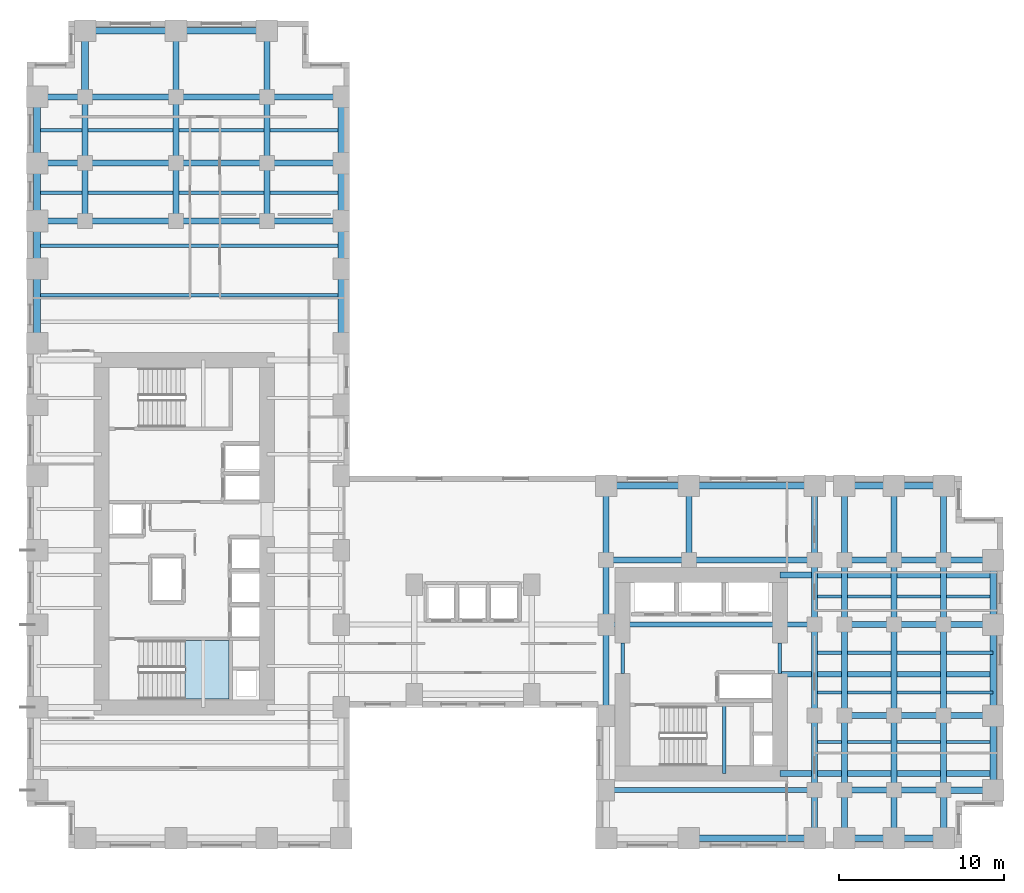
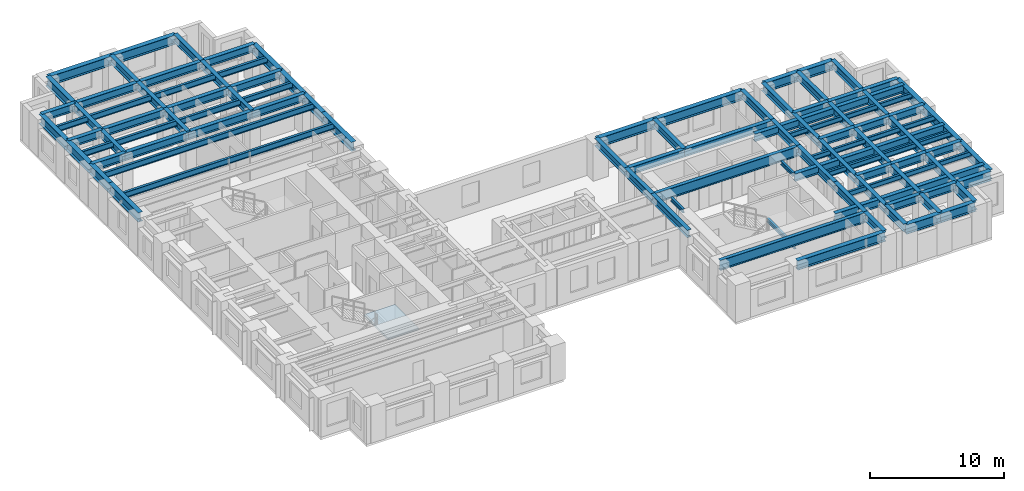
# One storey, part 2 of 11: 95 beams, 1 slab, 1 element without a shape of its own.
"""IFC4 building model written with IfcOpenShell, lengths in metres."""

from ifc_helpers import new_model, si_unit, direction, frame, origin, origin_2d, place, context, subcontext, project, spatial, polyline, i_section, outline, extrude, source, transform, mapped, material, layer, layer_set, material_profile, profile_set, type_object, element, aggregate, save


model = new_model("IFC4")

# Units and contexts
model_context = context("Model", 3, precision=1e-05, world=origin(), true_north=direction((0.0, 1.0)))
body_context = subcontext(model_context, "Body", "Model", "MODEL_VIEW")
ifc_project = project(units=[si_unit("LENGTHUNIT", "METRE"), si_unit("AREAUNIT", "SQUARE_METRE"), si_unit("VOLUMEUNIT", "CUBIC_METRE"), si_unit("PLANEANGLEUNIT", "RADIAN"), si_unit("MASSUNIT", "GRAM", prefix="KILO")], contexts=[model_context])

# Site, building, storey
site_placement = place(None, origin())
site = spatial("IfcSite", under=ifc_project, at=site_placement, CompositionType="ELEMENT")
building_placement = place(site_placement, origin())
building = spatial("IfcBuilding", under=site, at=building_placement, Name="Kharzan Plaza Tower", CompositionType="ELEMENT")
storey_placement = place(building_placement, frame((0.0, 0.0, 54.89990234375)))
storey = spatial("IfcBuildingStorey", under=building, at=storey_placement, Name="L14", CompositionType="ELEMENT", Elevation=54.89990234375)

# Beams
ifc_material_1 = material(Name="Steel S355", Category="steel")
ifc_material_profile_1 = material_profile(ifc_material_1, i_section(OverallWidth=0.205078125, OverallDepth=0.35400390625, WebThickness=0.009521484375, FlangeThickness=0.016845703125, at=origin_2d()), Name="W360x79")
ifc_profile_set_1 = profile_set([ifc_material_profile_1], Name="Steel S355")
beam_type_1 = type_object("IfcBeamType", Name="BM-LNT360", PredefinedType="LINTEL", material=ifc_profile_set_1)
shared_shape_1 = source(origin(), body_context, "Body", "SweptSolid", [
    extrude(i_section(OverallWidth=0.205078125, OverallDepth=0.35400390625, WebThickness=0.009521484375, FlangeThickness=0.016845703125, at=origin_2d()), origin(), (0.0, 0.0, 1.0), 1.849853515625),
])
for number, where, z_axis, x_axis, name in (
    (1, (45.5, 10.550048828125, 3.203125), (0.0, 1.0, 0.0), (-1.0, 0.0, 0.0), "L14 CORE-B coupling lintel LN1-WE"),
    (2, (36.0, 10.550048828125, 3.203125), (0.0, 1.0, 0.0), (-1.0, 0.0, 0.0), "L14 CORE-B coupling lintel LN1-WW"),
):
    element("IfcBeam", number, at=place(storey_placement, frame(where, z_axis=z_axis, x_axis=x_axis)), inside=storey, type_object=beam_type_1, Name=name, PredefinedType="LINTEL", context=body_context, shape_type="MappedRepresentation", body=[
        mapped(shared_shape_1, transform((0.0, 0.0, 0.0), x_axis=(1.0, 0.0, 0.0), y_axis=(0.0, 1.0, 0.0), z_axis=(0.0, 0.0, 1.0))),
    ])
shared_shape_2 = source(origin(), body_context, "Body", "SweptSolid", [
    extrude(i_section(OverallWidth=0.205078125, OverallDepth=0.35400390625, WebThickness=0.009521484375, FlangeThickness=0.016845703125, at=origin_2d()), origin(), (0.0, 0.0, 1.0), 4.155029296875),
])
beam_1_placement = place(storey_placement, frame((42.14990234375, 4.5, 1.423095703125), z_axis=(0.0, 1.0, 0.0), x_axis=(-1.0, 0.0, 0.0)))
element("IfcBeam", 3, at=beam_1_placement, inside=storey, type_object=beam_type_1, Name="L14 Stair ST-3 Half-Landing Beam", PredefinedType="LINTEL", context=body_context, shape_type="MappedRepresentation", body=[
    mapped(shared_shape_2, transform((0.0, 0.0, 0.0), x_axis=(1.0, 0.0, 0.0), y_axis=(0.0, 1.0, 0.0), z_axis=(0.0, 0.0, 1.0))),
])
ifc_material_profile_2 = material_profile(ifc_material_1, i_section(OverallWidth=0.304931640625, OverallDepth=0.9189453125, WebThickness=0.017333984375, FlangeThickness=0.02783203125, at=origin_2d()), Name="W920x253")
ifc_profile_set_2 = profile_set([ifc_material_profile_2], Name="Steel S355")
beam_type_2 = type_object("IfcBeamType", Name="BM-FG920B", PredefinedType="BEAM", material=ifc_profile_set_2)
shared_shape_3 = source(origin(), body_context, "Body", "SweptSolid", [
    extrude(i_section(OverallWidth=0.304931640625, OverallDepth=0.9189453125, WebThickness=0.017333984375, FlangeThickness=0.02783203125, at=origin_2d()), origin(), (0.0, 0.0, 1.0), 12.60009765625),
])
for number, where, z_axis, x_axis, name in (
    (4, (35.0, 3.5, 2.920654296875), (1.0, 0.0, 0.0), (0.0, 1.0, 0.0), "L14 Primary Floor Girder"),
    (5, (35.0, 13.5, 2.920654296875), (1.0, 0.0, 0.0), (0.0, 1.0, 0.0), "L14 Primary Floor Girder"),
):
    element("IfcBeam", number, at=place(storey_placement, frame(where, z_axis=z_axis, x_axis=x_axis)), inside=storey, type_object=beam_type_2, Name=name, PredefinedType="BEAM", context=body_context, shape_type="MappedRepresentation", body=[
        mapped(shared_shape_3, transform((0.0, 0.0, 0.0), x_axis=(1.0, 0.0, 0.0), y_axis=(0.0, 1.0, 0.0), z_axis=(0.0, 0.0, 1.0))),
    ])
ifc_material_profile_3 = material_profile(ifc_material_1, i_section(OverallWidth=0.35498046875, OverallDepth=0.695068359375, WebThickness=0.015380859375, FlangeThickness=0.02490234375, at=origin_2d()), Name="W690x217")
ifc_profile_set_3 = profile_set([ifc_material_profile_3], Name="Steel S355")
beam_type_3 = type_object("IfcBeamType", Name="BM-FG690A", PredefinedType="BEAM", material=ifc_profile_set_3)
shared_shape_4 = source(origin(), body_context, "Body", "SweptSolid", [
    extrude(i_section(OverallWidth=0.35498046875, OverallDepth=0.695068359375, WebThickness=0.015380859375, FlangeThickness=0.02490234375, at=origin_2d()), origin(), (0.0, 0.0, 1.0), 4.5),
])
for number, where, z_axis, x_axis, name in (
    (6, (35.0, 17.39990234375, 3.03271484375), (0.0, 1.0, 0.0), (-1.0, 0.0, 0.0), "L14 Interior Frame Girder"),
    (7, (40.0, 17.39990234375, 3.03271484375), (0.0, 1.0, 0.0), (-1.0, 0.0, 0.0), "L14 Interior Frame Girder"),
    (8, (47.60009765625, 3.5, 3.03271484375), (0.0, 1.0, 0.0), (-1.0, 0.0, 0.0), "L14 Interior Frame Girder"),
    (9, (47.60009765625, 17.39990234375, 3.03271484375), (0.0, 1.0, 0.0), (-1.0, 0.0, 0.0), "L14 Interior Frame Girder"),
    (10, (49.39990234375, 3.5, 3.03271484375), (0.0, 1.0, 0.0), (-1.0, 0.0, 0.0), "L14 Interior Frame Girder"),
    (11, (49.39990234375, 17.39990234375, 3.03271484375), (0.0, 1.0, 0.0), (-1.0, 0.0, 0.0), "L14 Interior Frame Girder"),
    (12, (52.39990234375, 3.5, 3.03271484375), (0.0, 1.0, 0.0), (-1.0, 0.0, 0.0), "L14 Interior Frame Girder"),
    (13, (52.39990234375, 17.39990234375, 3.03271484375), (0.0, 1.0, 0.0), (-1.0, 0.0, 0.0), "L14 Interior Frame Girder"),
    (14, (55.39990234375, 3.5, 3.03271484375), (0.0, 1.0, 0.0), (-1.0, 0.0, 0.0), "L14 Interior Frame Girder"),
    (15, (55.39990234375, 17.39990234375, 3.03271484375), (0.0, 1.0, 0.0), (-1.0, 0.0, 0.0), "L14 Interior Frame Girder"),
    (16, (14.5, 41.39990234375, 3.03271484375), (1.0, 0.0, 0.0), (0.0, 1.0, 0.0), "L14 Primary Floor Girder"),
    (17, (14.5, 45.39990234375, 3.03271484375), (1.0, 0.0, 0.0), (0.0, 1.0, 0.0), "L14 Primary Floor Girder"),
    (18, (14.5, 37.89990234375, 3.03271484375), (1.0, 0.0, 0.0), (0.0, 1.0, 0.0), "L14 Primary Floor Girder"),
):
    element("IfcBeam", number, at=place(storey_placement, frame(where, z_axis=z_axis, x_axis=x_axis)), inside=storey, type_object=beam_type_3, Name=name, PredefinedType="BEAM", context=body_context, shape_type="MappedRepresentation", body=[
        mapped(shared_shape_4, transform((0.0, 0.0, 0.0), x_axis=(1.0, 0.0, 0.0), y_axis=(0.0, 1.0, 0.0), z_axis=(0.0, 0.0, 1.0))),
    ])
shared_shape_5 = source(origin(), body_context, "Body", "SweptSolid", [
    extrude(i_section(OverallWidth=0.35498046875, OverallDepth=0.695068359375, WebThickness=0.015380859375, FlangeThickness=0.02490234375, at=origin_2d()), origin(), (0.0, 0.0, 1.0), 3.89990234375),
])
for number, where, z_axis, x_axis, name in (
    (19, (35.0, 13.5, 3.03271484375), (0.0, 1.0, 0.0), (-1.0, 0.0, 0.0), "L14 Interior Frame Girder"),
    (20, (47.60009765625, 13.5, 3.03271484375), (0.0, 1.0, 0.0), (-1.0, 0.0, 0.0), "L14 Interior Frame Girder"),
    (21, (49.39990234375, 13.5, 3.03271484375), (0.0, 1.0, 0.0), (-1.0, 0.0, 0.0), "L14 Interior Frame Girder"),
    (22, (52.39990234375, 13.5, 3.03271484375), (0.0, 1.0, 0.0), (-1.0, 0.0, 0.0), "L14 Interior Frame Girder"),
    (23, (55.39990234375, 13.5, 3.03271484375), (0.0, 1.0, 0.0), (-1.0, 0.0, 0.0), "L14 Interior Frame Girder"),
):
    element("IfcBeam", number, at=place(storey_placement, frame(where, z_axis=z_axis, x_axis=x_axis)), inside=storey, type_object=beam_type_3, Name=name, PredefinedType="BEAM", context=body_context, shape_type="MappedRepresentation", body=[
        mapped(shared_shape_5, transform((0.0, 0.0, 0.0), x_axis=(1.0, 0.0, 0.0), y_axis=(0.0, 1.0, 0.0), z_axis=(0.0, 0.0, 1.0))),
    ])
shared_shape_6 = source(origin(), body_context, "Body", "SweptSolid", [
    extrude(i_section(OverallWidth=0.35498046875, OverallDepth=0.695068359375, WebThickness=0.015380859375, FlangeThickness=0.02490234375, at=origin_2d()), origin(), (0.0, 0.0, 1.0), 12.89990234375),
])
for number, where, z_axis, x_axis, name in (
    (24, (45.5, 4.5, 3.03271484375), (1.0, 0.0, 0.0), (0.0, 1.0, 0.0), "L14 Core-B East Floor Girder 1"),
    (25, (45.5, 10.5, 3.03271484375), (1.0, 0.0, 0.0), (0.0, 1.0, 0.0), "L14 Core-B East Floor Girder 2"),
    (26, (45.5, 16.5, 3.03271484375), (1.0, 0.0, 0.0), (0.0, 1.0, 0.0), "L14 Core-B East Floor Girder 3"),
):
    element("IfcBeam", number, at=place(storey_placement, frame(where, z_axis=z_axis, x_axis=x_axis)), inside=storey, type_object=beam_type_3, Name=name, PredefinedType="BEAM", context=body_context, shape_type="MappedRepresentation", body=[
        mapped(shared_shape_6, transform((0.0, 0.0, 0.0), x_axis=(1.0, 0.0, 0.0), y_axis=(0.0, 1.0, 0.0), z_axis=(0.0, 0.0, 1.0))),
    ])
shared_shape_7 = source(origin(), body_context, "Body", "SweptSolid", [
    extrude(i_section(OverallWidth=0.35498046875, OverallDepth=0.695068359375, WebThickness=0.015380859375, FlangeThickness=0.02490234375, at=origin_2d()), origin(), (0.0, 0.0, 1.0), 3.5),
])
for number, where, z_axis, x_axis, name in (
    (27, (3.5, 37.89990234375, 3.03271484375), (0.0, 1.0, 0.0), (-1.0, 0.0, 0.0), "L14 Interior Frame Girder"),
    (28, (9.0, 37.89990234375, 3.03271484375), (0.0, 1.0, 0.0), (-1.0, 0.0, 0.0), "L14 Interior Frame Girder"),
    (29, (14.5, 37.89990234375, 3.03271484375), (0.0, 1.0, 0.0), (-1.0, 0.0, 0.0), "L14 Interior Frame Girder"),
):
    element("IfcBeam", number, at=place(storey_placement, frame(where, z_axis=z_axis, x_axis=x_axis)), inside=storey, type_object=beam_type_3, Name=name, PredefinedType="BEAM", context=body_context, shape_type="MappedRepresentation", body=[
        mapped(shared_shape_7, transform((0.0, 0.0, 0.0), x_axis=(1.0, 0.0, 0.0), y_axis=(0.0, 1.0, 0.0), z_axis=(0.0, 0.0, 1.0))),
    ])
shared_shape_8 = source(origin(), body_context, "Body", "SweptSolid", [
    extrude(i_section(OverallWidth=0.35498046875, OverallDepth=0.695068359375, WebThickness=0.015380859375, FlangeThickness=0.02490234375, at=origin_2d()), origin(), (0.0, 0.0, 1.0), 4.0),
])
for number, where, z_axis, x_axis, name in (
    (30, (3.5, 41.39990234375, 3.03271484375), (0.0, 1.0, 0.0), (-1.0, 0.0, 0.0), "L14 Interior Frame Girder"),
    (31, (9.0, 41.39990234375, 3.03271484375), (0.0, 1.0, 0.0), (-1.0, 0.0, 0.0), "L14 Interior Frame Girder"),
    (32, (9.0, 45.39990234375, 3.03271484375), (0.0, 1.0, 0.0), (-1.0, 0.0, 0.0), "L14 Interior Frame Girder"),
    (33, (14.5, 41.39990234375, 3.03271484375), (0.0, 1.0, 0.0), (-1.0, 0.0, 0.0), "L14 Interior Frame Girder"),
    (34, (14.5, 45.39990234375, 3.03271484375), (0.0, 1.0, 0.0), (-1.0, 0.0, 0.0), "L14 Interior Frame Girder"),
):
    element("IfcBeam", number, at=place(storey_placement, frame(where, z_axis=z_axis, x_axis=x_axis)), inside=storey, type_object=beam_type_3, Name=name, PredefinedType="BEAM", context=body_context, shape_type="MappedRepresentation", body=[
        mapped(shared_shape_8, transform((0.0, 0.0, 0.0), x_axis=(1.0, 0.0, 0.0), y_axis=(0.0, 1.0, 0.0), z_axis=(0.0, 0.0, 1.0))),
    ])
shared_shape_9 = source(origin(), body_context, "Body", "SweptSolid", [
    extrude(i_section(OverallWidth=0.35498046875, OverallDepth=0.695068359375, WebThickness=0.015380859375, FlangeThickness=0.02490234375, at=origin_2d()), origin(), (0.0, 0.0, 1.0), 5.0),
])
beam_2_placement = place(storey_placement, frame((35.0, 17.39990234375, 3.03271484375), z_axis=(1.0, 0.0, 0.0), x_axis=(0.0, 1.0, 0.0)))
element("IfcBeam", 35, at=beam_2_placement, inside=storey, type_object=beam_type_3, Name="L14 Primary Floor Girder", PredefinedType="BEAM", context=body_context, shape_type="MappedRepresentation", body=[
    mapped(shared_shape_9, transform((0.0, 0.0, 0.0), x_axis=(1.0, 0.0, 0.0), y_axis=(0.0, 1.0, 0.0), z_axis=(0.0, 0.0, 1.0))),
])
shared_shape_10 = source(origin(), body_context, "Body", "SweptSolid", [
    extrude(i_section(OverallWidth=0.35498046875, OverallDepth=0.695068359375, WebThickness=0.015380859375, FlangeThickness=0.02490234375, at=origin_2d()), origin(), (0.0, 0.0, 1.0), 5.5),
])
for number, where, z_axis, x_axis, name in (
    (36, (35.0, 8.0, 3.03271484375), (0.0, 1.0, 0.0), (-1.0, 0.0, 0.0), "L14 Interior Frame Girder"),
    (37, (47.60009765625, 8.0, 3.03271484375), (0.0, 1.0, 0.0), (-1.0, 0.0, 0.0), "L14 Interior Frame Girder"),
    (38, (49.39990234375, 8.0, 3.03271484375), (0.0, 1.0, 0.0), (-1.0, 0.0, 0.0), "L14 Interior Frame Girder"),
    (39, (52.39990234375, 8.0, 3.03271484375), (0.0, 1.0, 0.0), (-1.0, 0.0, 0.0), "L14 Interior Frame Girder"),
    (40, (55.39990234375, 8.0, 3.03271484375), (0.0, 1.0, 0.0), (-1.0, 0.0, 0.0), "L14 Interior Frame Girder"),
    (41, (3.5, 45.39990234375, 3.03271484375), (1.0, 0.0, 0.0), (0.0, 1.0, 0.0), "L14 Primary Floor Girder"),
    (42, (9.0, 45.39990234375, 3.03271484375), (1.0, 0.0, 0.0), (0.0, 1.0, 0.0), "L14 Primary Floor Girder"),
    (43, (3.5, 37.89990234375, 3.03271484375), (1.0, 0.0, 0.0), (0.0, 1.0, 0.0), "L14 Primary Floor Girder"),
    (44, (9.0, 37.89990234375, 3.03271484375), (1.0, 0.0, 0.0), (0.0, 1.0, 0.0), "L14 Primary Floor Girder"),
    (45, (3.5, 41.39990234375, 3.03271484375), (1.0, 0.0, 0.0), (0.0, 1.0, 0.0), "L14 Primary Floor Girder"),
    (46, (9.0, 41.39990234375, 3.03271484375), (1.0, 0.0, 0.0), (0.0, 1.0, 0.0), "L14 Primary Floor Girder"),
):
    element("IfcBeam", number, at=place(storey_placement, frame(where, z_axis=z_axis, x_axis=x_axis)), inside=storey, type_object=beam_type_3, Name=name, PredefinedType="BEAM", context=body_context, shape_type="MappedRepresentation", body=[
        mapped(shared_shape_10, transform((0.0, 0.0, 0.0), x_axis=(1.0, 0.0, 0.0), y_axis=(0.0, 1.0, 0.0), z_axis=(0.0, 0.0, 1.0))),
    ])
shared_shape_11 = source(origin(), body_context, "Body", "SweptSolid", [
    extrude(i_section(OverallWidth=0.35498046875, OverallDepth=0.695068359375, WebThickness=0.015380859375, FlangeThickness=0.02490234375, at=origin_2d()), origin(), (0.0, 0.0, 1.0), 2.89990234375),
])
for number, where, z_axis, x_axis, name in (
    (47, (47.60009765625, 0.60009765625, 3.03271484375), (0.0, 1.0, 0.0), (-1.0, 0.0, 0.0), "L14 Interior Frame Girder"),
    (48, (49.39990234375, 0.60009765625, 3.03271484375), (0.0, 1.0, 0.0), (-1.0, 0.0, 0.0), "L14 Interior Frame Girder"),
    (49, (52.39990234375, 0.60009765625, 3.03271484375), (0.0, 1.0, 0.0), (-1.0, 0.0, 0.0), "L14 Interior Frame Girder"),
    (50, (0.60009765625, 45.39990234375, 3.03271484375), (1.0, 0.0, 0.0), (0.0, 1.0, 0.0), "L14 Primary Floor Girder"),
    (51, (0.60009765625, 37.89990234375, 3.03271484375), (1.0, 0.0, 0.0), (0.0, 1.0, 0.0), "L14 Primary Floor Girder"),
    (52, (0.60009765625, 41.39990234375, 3.03271484375), (1.0, 0.0, 0.0), (0.0, 1.0, 0.0), "L14 Primary Floor Girder"),
):
    element("IfcBeam", number, at=place(storey_placement, frame(where, z_axis=z_axis, x_axis=x_axis)), inside=storey, type_object=beam_type_3, Name=name, PredefinedType="BEAM", context=body_context, shape_type="MappedRepresentation", body=[
        mapped(shared_shape_11, transform((0.0, 0.0, 0.0), x_axis=(1.0, 0.0, 0.0), y_axis=(0.0, 1.0, 0.0), z_axis=(0.0, 0.0, 1.0))),
    ])
shared_shape_12 = source(origin(), body_context, "Body", "SweptSolid", [
    extrude(i_section(OverallWidth=0.35498046875, OverallDepth=0.695068359375, WebThickness=0.015380859375, FlangeThickness=0.02490234375, at=origin_2d()), origin(), (0.0, 0.0, 1.0), 3.0),
])
for number, where, z_axis, x_axis, name in (
    (53, (49.39990234375, 3.5, 3.03271484375), (1.0, 0.0, 0.0), (0.0, 1.0, 0.0), "L14 Primary Floor Girder"),
    (54, (52.39990234375, 3.5, 3.03271484375), (1.0, 0.0, 0.0), (0.0, 1.0, 0.0), "L14 Primary Floor Girder"),
    (55, (49.39990234375, 8.0, 3.03271484375), (1.0, 0.0, 0.0), (0.0, 1.0, 0.0), "L14 Primary Floor Girder"),
    (56, (52.39990234375, 8.0, 3.03271484375), (1.0, 0.0, 0.0), (0.0, 1.0, 0.0), "L14 Primary Floor Girder"),
    (57, (55.39990234375, 8.0, 3.03271484375), (1.0, 0.0, 0.0), (0.0, 1.0, 0.0), "L14 Primary Floor Girder"),
    (58, (49.39990234375, 13.5, 3.03271484375), (1.0, 0.0, 0.0), (0.0, 1.0, 0.0), "L14 Primary Floor Girder"),
    (59, (52.39990234375, 13.5, 3.03271484375), (1.0, 0.0, 0.0), (0.0, 1.0, 0.0), "L14 Primary Floor Girder"),
    (60, (55.39990234375, 13.5, 3.03271484375), (1.0, 0.0, 0.0), (0.0, 1.0, 0.0), "L14 Primary Floor Girder"),
    (61, (49.39990234375, 17.39990234375, 3.03271484375), (1.0, 0.0, 0.0), (0.0, 1.0, 0.0), "L14 Primary Floor Girder"),
    (62, (52.39990234375, 17.39990234375, 3.03271484375), (1.0, 0.0, 0.0), (0.0, 1.0, 0.0), "L14 Primary Floor Girder"),
    (63, (55.39990234375, 17.39990234375, 3.03271484375), (1.0, 0.0, 0.0), (0.0, 1.0, 0.0), "L14 Primary Floor Girder"),
):
    element("IfcBeam", number, at=place(storey_placement, frame(where, z_axis=z_axis, x_axis=x_axis)), inside=storey, type_object=beam_type_3, Name=name, PredefinedType="BEAM", context=body_context, shape_type="MappedRepresentation", body=[
        mapped(shared_shape_12, transform((0.0, 0.0, 0.0), x_axis=(1.0, 0.0, 0.0), y_axis=(0.0, 1.0, 0.0), z_axis=(0.0, 0.0, 1.0))),
    ])
shared_shape_13 = source(origin(), body_context, "Body", "SweptSolid", [
    extrude(i_section(OverallWidth=0.35498046875, OverallDepth=0.695068359375, WebThickness=0.015380859375, FlangeThickness=0.02490234375, at=origin_2d()), origin(), (0.0, 0.0, 1.0), 7.60009765625),
])
beam_3_placement = place(storey_placement, frame((40.0, 17.39990234375, 3.03271484375), z_axis=(1.0, 0.0, 0.0), x_axis=(0.0, 1.0, 0.0)))
element("IfcBeam", 64, at=beam_3_placement, inside=storey, type_object=beam_type_3, Name="L14 Primary Floor Girder", PredefinedType="BEAM", context=body_context, shape_type="MappedRepresentation", body=[
    mapped(shared_shape_13, transform((0.0, 0.0, 0.0), x_axis=(1.0, 0.0, 0.0), y_axis=(0.0, 1.0, 0.0), z_axis=(0.0, 0.0, 1.0))),
])
ifc_material_profile_4 = material_profile(ifc_material_1, i_section(OverallWidth=0.2099609375, OverallDepth=0.537109375, WebThickness=0.010986328125, FlangeThickness=0.017333984375, at=origin_2d()), Name="W530x101")
ifc_profile_set_4 = profile_set([ifc_material_profile_4], Name="Steel S355")
beam_type_4 = type_object("IfcBeamType", Name="BM-JST530B", PredefinedType="JOIST", material=ifc_profile_set_4)
shared_shape_14 = source(origin(), body_context, "Body", "SweptSolid", [
    extrude(i_section(OverallWidth=0.2099609375, OverallDepth=0.537109375, WebThickness=0.010986328125, FlangeThickness=0.017333984375, at=origin_2d()), origin(), (0.0, 0.0, 1.0), 18.39990234375),
])
for number, where, z_axis, x_axis, name in (
    (65, (0.60009765625, 33.39990234375, 3.111572265625), (1.0, 0.0, 0.0), (0.0, 1.0, 0.0), "L14 Wing A Composite Joist 05"),
    (66, (0.60009765625, 36.39990234375, 3.111572265625), (1.0, 0.0, 0.0), (0.0, 1.0, 0.0), "L14 Wing A Composite Joist 06"),
    (67, (0.60009765625, 39.60009765625, 3.111572265625), (1.0, 0.0, 0.0), (0.0, 1.0, 0.0), "L14 Wing A Composite Joist 07"),
    (68, (0.60009765625, 43.39990234375, 3.111572265625), (1.0, 0.0, 0.0), (0.0, 1.0, 0.0), "L14 Wing A Composite Joist 08"),
):
    element("IfcBeam", number, at=place(storey_placement, frame(where, z_axis=z_axis, x_axis=x_axis)), inside=storey, type_object=beam_type_4, Name=name, PredefinedType="JOIST", context=body_context, shape_type="MappedRepresentation", body=[
        mapped(shared_shape_14, transform((0.0, 0.0, 0.0), x_axis=(1.0, 0.0, 0.0), y_axis=(0.0, 1.0, 0.0), z_axis=(0.0, 0.0, 1.0))),
    ])
ifc_material_profile_5 = material_profile(ifc_material_1, i_section(OverallWidth=0.194091796875, OverallDepth=0.468994140625, WebThickness=0.011474609375, FlangeThickness=0.0205078125, at=origin_2d()), Name="W460x106")
ifc_profile_set_5 = profile_set([ifc_material_profile_5], Name="Steel S355")
beam_type_5 = type_object("IfcBeamType", Name="BM-JST460", PredefinedType="JOIST", material=ifc_profile_set_5)
shared_shape_15 = source(origin(), body_context, "Body", "SweptSolid", [
    extrude(i_section(OverallWidth=0.194091796875, OverallDepth=0.468994140625, WebThickness=0.011474609375, FlangeThickness=0.0205078125, at=origin_2d()), origin(), (0.0, 0.0, 1.0), 10.7998046875),
])
for number, where, z_axis, x_axis, name in (
    (69, (47.60009765625, 6.39990234375, 3.1455078125), (1.0, 0.0, 0.0), (0.0, 1.0, 0.0), "L14 Wing B Composite Joist 02"),
    (70, (47.60009765625, 9.39990234375, 3.1455078125), (1.0, 0.0, 0.0), (0.0, 1.0, 0.0), "L14 Wing B Composite Joist 03"),
    (71, (47.60009765625, 11.800048828125, 3.1455078125), (1.0, 0.0, 0.0), (0.0, 1.0, 0.0), "L14 Wing B Composite Joist 04"),
    (72, (47.60009765625, 15.199951171875, 3.1455078125), (1.0, 0.0, 0.0), (0.0, 1.0, 0.0), "L14 Wing B Composite Joist 05"),
):
    element("IfcBeam", number, at=place(storey_placement, frame(where, z_axis=z_axis, x_axis=x_axis)), inside=storey, type_object=beam_type_5, Name=name, PredefinedType="JOIST", context=body_context, shape_type="MappedRepresentation", body=[
        mapped(shared_shape_15, transform((0.0, 0.0, 0.0), x_axis=(1.0, 0.0, 0.0), y_axis=(0.0, 1.0, 0.0), z_axis=(0.0, 0.0, 1.0))),
    ])
ifc_material_profile_6 = material_profile(ifc_material_1, i_section(OverallWidth=0.40087890625, OverallDepth=0.85498046875, WebThickness=0.018310546875, FlangeThickness=0.029296875, at=origin_2d()), Name="W840x299")
ifc_profile_set_6 = profile_set([ifc_material_profile_6], Name="Steel S355")
beam_type_6 = type_object("IfcBeamType", Name="BM-SP840A", PredefinedType="SPANDREL", material=ifc_profile_set_6)
shared_shape_16 = source(origin(), body_context, "Body", "SweptSolid", [
    extrude(i_section(OverallWidth=0.40087890625, OverallDepth=0.85498046875, WebThickness=0.018310546875, FlangeThickness=0.029296875, at=origin_2d()), origin(), (0.0, 0.0, 1.0), 5.0),
])
beam_4_placement = place(storey_placement, frame((35.0, 21.89990234375, 2.95263671875), z_axis=(1.0, 0.0, 0.0), x_axis=(0.0, 1.0, 0.0)))
element("IfcBeam", 73, at=beam_4_placement, inside=storey, type_object=beam_type_6, Name="L14 Perimeter Tube Spandrel", PredefinedType="SPANDREL", context=body_context, shape_type="MappedRepresentation", body=[
    mapped(shared_shape_16, transform((0.0, 0.0, 0.0), x_axis=(1.0, 0.0, 0.0), y_axis=(0.0, 1.0, 0.0), z_axis=(0.0, 0.0, 1.0))),
])
shared_shape_17 = source(origin(), body_context, "Body", "SweptSolid", [
    extrude(i_section(OverallWidth=0.40087890625, OverallDepth=0.85498046875, WebThickness=0.018310546875, FlangeThickness=0.029296875, at=origin_2d()), origin(), (0.0, 0.0, 1.0), 4.5),
])
for number, where, z_axis, x_axis, name in (
    (74, (0.60009765625, 30.5, 2.95263671875), (0.0, 1.0, 0.0), (-1.0, 0.0, 0.0), "L14 Perimeter Tube Spandrel"),
    (75, (19.0, 30.5, 2.95263671875), (0.0, 1.0, 0.0), (-1.0, 0.0, 0.0), "L14 Perimeter Tube Spandrel"),
    (76, (58.39990234375, 3.5, 2.95263671875), (0.0, 1.0, 0.0), (-1.0, 0.0, 0.0), "L14 Perimeter Tube Spandrel"),
):
    element("IfcBeam", number, at=place(storey_placement, frame(where, z_axis=z_axis, x_axis=x_axis)), inside=storey, type_object=beam_type_6, Name=name, PredefinedType="SPANDREL", context=body_context, shape_type="MappedRepresentation", body=[
        mapped(shared_shape_17, transform((0.0, 0.0, 0.0), x_axis=(1.0, 0.0, 0.0), y_axis=(0.0, 1.0, 0.0), z_axis=(0.0, 0.0, 1.0))),
    ])
shared_shape_18 = source(origin(), body_context, "Body", "SweptSolid", [
    extrude(i_section(OverallWidth=0.40087890625, OverallDepth=0.85498046875, WebThickness=0.018310546875, FlangeThickness=0.029296875, at=origin_2d()), origin(), (0.0, 0.0, 1.0), 2.89990234375),
])
for number, where, z_axis, x_axis, name in (
    (77, (0.60009765625, 35.0, 2.95263671875), (0.0, 1.0, 0.0), (-1.0, 0.0, 0.0), "L14 Perimeter Tube Spandrel"),
    (78, (19.0, 35.0, 2.95263671875), (0.0, 1.0, 0.0), (-1.0, 0.0, 0.0), "L14 Perimeter Tube Spandrel"),
    (79, (55.39990234375, 0.60009765625, 2.95263671875), (0.0, 1.0, 0.0), (-1.0, 0.0, 0.0), "L14 Perimeter Tube Spandrel"),
):
    element("IfcBeam", number, at=place(storey_placement, frame(where, z_axis=z_axis, x_axis=x_axis)), inside=storey, type_object=beam_type_6, Name=name, PredefinedType="SPANDREL", context=body_context, shape_type="MappedRepresentation", body=[
        mapped(shared_shape_18, transform((0.0, 0.0, 0.0), x_axis=(1.0, 0.0, 0.0), y_axis=(0.0, 1.0, 0.0), z_axis=(0.0, 0.0, 1.0))),
    ])
shared_shape_19 = source(origin(), body_context, "Body", "SweptSolid", [
    extrude(i_section(OverallWidth=0.40087890625, OverallDepth=0.85498046875, WebThickness=0.018310546875, FlangeThickness=0.029296875, at=origin_2d()), origin(), (0.0, 0.0, 1.0), 3.5),
])
for number, where, z_axis, x_axis, name in (
    (80, (0.60009765625, 37.89990234375, 2.95263671875), (0.0, 1.0, 0.0), (-1.0, 0.0, 0.0), "L14 Perimeter Tube Spandrel"),
    (81, (19.0, 37.89990234375, 2.95263671875), (0.0, 1.0, 0.0), (-1.0, 0.0, 0.0), "L14 Perimeter Tube Spandrel"),
):
    element("IfcBeam", number, at=place(storey_placement, frame(where, z_axis=z_axis, x_axis=x_axis)), inside=storey, type_object=beam_type_6, Name=name, PredefinedType="SPANDREL", context=body_context, shape_type="MappedRepresentation", body=[
        mapped(shared_shape_19, transform((0.0, 0.0, 0.0), x_axis=(1.0, 0.0, 0.0), y_axis=(0.0, 1.0, 0.0), z_axis=(0.0, 0.0, 1.0))),
    ])
shared_shape_20 = source(origin(), body_context, "Body", "SweptSolid", [
    extrude(i_section(OverallWidth=0.40087890625, OverallDepth=0.85498046875, WebThickness=0.018310546875, FlangeThickness=0.029296875, at=origin_2d()), origin(), (0.0, 0.0, 1.0), 4.0),
])
for number, where, z_axis, x_axis, name in (
    (82, (0.60009765625, 41.39990234375, 2.95263671875), (0.0, 1.0, 0.0), (-1.0, 0.0, 0.0), "L14 Perimeter Tube Spandrel"),
    (83, (3.5, 45.39990234375, 2.95263671875), (0.0, 1.0, 0.0), (-1.0, 0.0, 0.0), "L14 Perimeter Tube Spandrel"),
    (84, (19.0, 41.39990234375, 2.95263671875), (0.0, 1.0, 0.0), (-1.0, 0.0, 0.0), "L14 Perimeter Tube Spandrel"),
):
    element("IfcBeam", number, at=place(storey_placement, frame(where, z_axis=z_axis, x_axis=x_axis)), inside=storey, type_object=beam_type_6, Name=name, PredefinedType="SPANDREL", context=body_context, shape_type="MappedRepresentation", body=[
        mapped(shared_shape_20, transform((0.0, 0.0, 0.0), x_axis=(1.0, 0.0, 0.0), y_axis=(0.0, 1.0, 0.0), z_axis=(0.0, 0.0, 1.0))),
    ])
shared_shape_21 = source(origin(), body_context, "Body", "SweptSolid", [
    extrude(i_section(OverallWidth=0.40087890625, OverallDepth=0.85498046875, WebThickness=0.018310546875, FlangeThickness=0.029296875, at=origin_2d()), origin(), (0.0, 0.0, 1.0), 5.5),
])
for number, where, z_axis, x_axis, name in (
    (85, (58.39990234375, 8.0, 2.95263671875), (0.0, 1.0, 0.0), (-1.0, 0.0, 0.0), "L14 Perimeter Tube Spandrel"),
    (86, (3.5, 49.39990234375, 2.95263671875), (1.0, 0.0, 0.0), (0.0, 1.0, 0.0), "L14 Perimeter Tube Spandrel"),
    (87, (9.0, 49.39990234375, 2.95263671875), (1.0, 0.0, 0.0), (0.0, 1.0, 0.0), "L14 Perimeter Tube Spandrel"),
):
    element("IfcBeam", number, at=place(storey_placement, frame(where, z_axis=z_axis, x_axis=x_axis)), inside=storey, type_object=beam_type_6, Name=name, PredefinedType="SPANDREL", context=body_context, shape_type="MappedRepresentation", body=[
        mapped(shared_shape_21, transform((0.0, 0.0, 0.0), x_axis=(1.0, 0.0, 0.0), y_axis=(0.0, 1.0, 0.0), z_axis=(0.0, 0.0, 1.0))),
    ])
shared_shape_22 = source(origin(), body_context, "Body", "SweptSolid", [
    extrude(i_section(OverallWidth=0.40087890625, OverallDepth=0.85498046875, WebThickness=0.018310546875, FlangeThickness=0.029296875, at=origin_2d()), origin(), (0.0, 0.0, 1.0), 3.89990234375),
])
beam_5_placement = place(storey_placement, frame((58.39990234375, 13.5, 2.95263671875), z_axis=(0.0, 1.0, 0.0), x_axis=(-1.0, 0.0, 0.0)))
element("IfcBeam", 88, at=beam_5_placement, inside=storey, type_object=beam_type_6, Name="L14 Perimeter Tube Spandrel", PredefinedType="SPANDREL", context=body_context, shape_type="MappedRepresentation", body=[
    mapped(shared_shape_22, transform((0.0, 0.0, 0.0), x_axis=(1.0, 0.0, 0.0), y_axis=(0.0, 1.0, 0.0), z_axis=(0.0, 0.0, 1.0))),
])
shared_shape_23 = source(origin(), body_context, "Body", "SweptSolid", [
    extrude(i_section(OverallWidth=0.40087890625, OverallDepth=0.85498046875, WebThickness=0.018310546875, FlangeThickness=0.029296875, at=origin_2d()), origin(), (0.0, 0.0, 1.0), 7.60009765625),
])
for number, where, z_axis, x_axis, name in (
    (89, (40.0, 0.60009765625, 2.95263671875), (1.0, 0.0, 0.0), (0.0, 1.0, 0.0), "L14 Perimeter Tube Spandrel"),
    (90, (40.0, 21.89990234375, 2.95263671875), (1.0, 0.0, 0.0), (0.0, 1.0, 0.0), "L14 Perimeter Tube Spandrel"),
):
    element("IfcBeam", number, at=place(storey_placement, frame(where, z_axis=z_axis, x_axis=x_axis)), inside=storey, type_object=beam_type_6, Name=name, PredefinedType="SPANDREL", context=body_context, shape_type="MappedRepresentation", body=[
        mapped(shared_shape_23, transform((0.0, 0.0, 0.0), x_axis=(1.0, 0.0, 0.0), y_axis=(0.0, 1.0, 0.0), z_axis=(0.0, 0.0, 1.0))),
    ])
shared_shape_24 = source(origin(), body_context, "Body", "SweptSolid", [
    extrude(i_section(OverallWidth=0.40087890625, OverallDepth=0.85498046875, WebThickness=0.018310546875, FlangeThickness=0.029296875, at=origin_2d()), origin(), (0.0, 0.0, 1.0), 3.0),
])
for number, where, z_axis, x_axis, name in (
    (91, (49.39990234375, 0.60009765625, 2.95263671875), (1.0, 0.0, 0.0), (0.0, 1.0, 0.0), "L14 Perimeter Tube Spandrel"),
    (92, (52.39990234375, 0.60009765625, 2.95263671875), (1.0, 0.0, 0.0), (0.0, 1.0, 0.0), "L14 Perimeter Tube Spandrel"),
    (93, (55.39990234375, 3.5, 2.95263671875), (1.0, 0.0, 0.0), (0.0, 1.0, 0.0), "L14 Perimeter Tube Spandrel"),
    (94, (49.39990234375, 21.89990234375, 2.95263671875), (1.0, 0.0, 0.0), (0.0, 1.0, 0.0), "L14 Perimeter Tube Spandrel"),
    (95, (52.39990234375, 21.89990234375, 2.95263671875), (1.0, 0.0, 0.0), (0.0, 1.0, 0.0), "L14 Perimeter Tube Spandrel"),
):
    element("IfcBeam", number, at=place(storey_placement, frame(where, z_axis=z_axis, x_axis=x_axis)), inside=storey, type_object=beam_type_6, Name=name, PredefinedType="SPANDREL", context=body_context, shape_type="MappedRepresentation", body=[
        mapped(shared_shape_24, transform((0.0, 0.0, 0.0), x_axis=(1.0, 0.0, 0.0), y_axis=(0.0, 1.0, 0.0), z_axis=(0.0, 0.0, 1.0))),
    ])

# Stair, slab
ifc_material_2 = material(Name="Concrete C40/50", Category="concrete")
stair_type = type_object("IfcStairType", Name="STR-ST-1", PredefinedType="HALF_TURN_STAIR", material=ifc_material_2)
stair_placement = place(storey_placement, origin())
stair = element("IfcStair", 96, at=stair_placement, inside=storey, type_object=stair_type, Name="L14 Protected Exit Stair ST-1", PredefinedType="HALF_TURN_STAIR")
ifc_layer = layer(ifc_material_2, 0.219970703125)
ifc_layer_set = layer_set([ifc_layer], Name="Concrete C40/50")
slab_type = type_object("IfcSlabType", Name="SL-LANDING-220", PredefinedType="LANDING", material=ifc_layer_set)
slab_placement = place(storey_placement, frame((0.0, 0.0, 1.60009765625)))
slab = element("IfcSlab", 97, at=slab_placement, type_object=slab_type, Name="ST-1 landing 1", PredefinedType="LANDING", context=body_context, shape_type="SweptSolid", body=[
    extrude(outline(polyline([(9.550048828125, 9.0), (12.199951171875, 9.0), (12.199951171875, 12.550048828125), (9.550048828125, 12.550048828125), (9.550048828125, 9.0)])), origin(), (0.0, 0.0, 1.0), 0.199951171875),
])
aggregate(stair, [slab])

save(model, "model.ifc")
